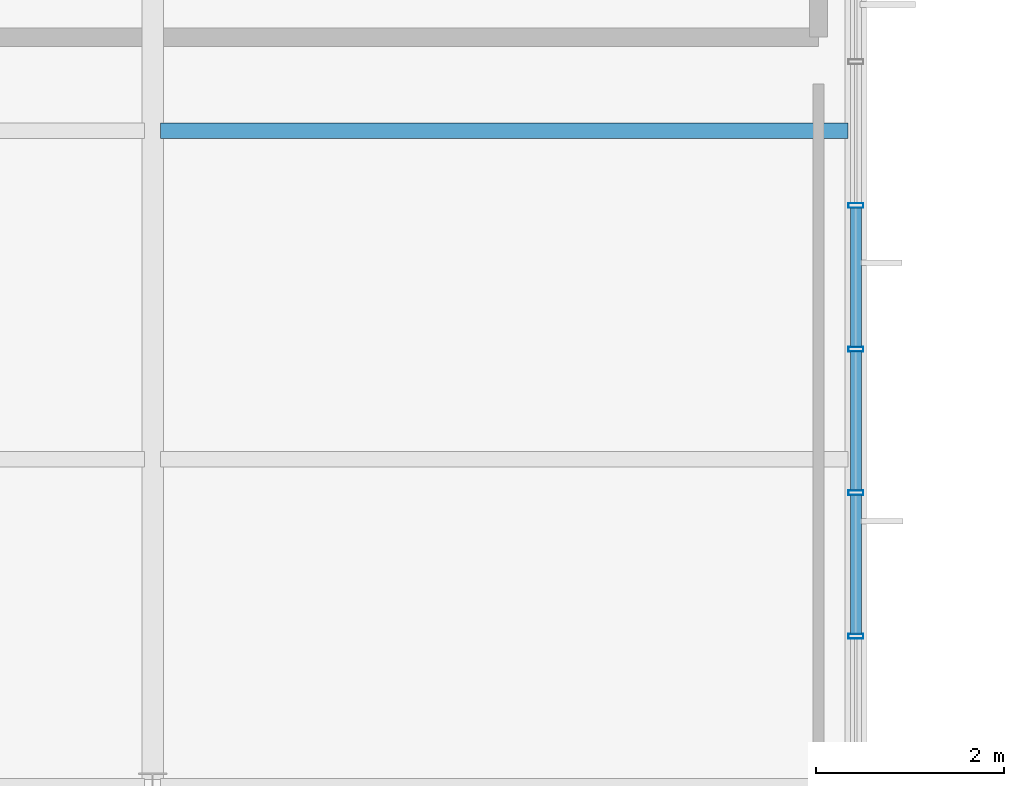
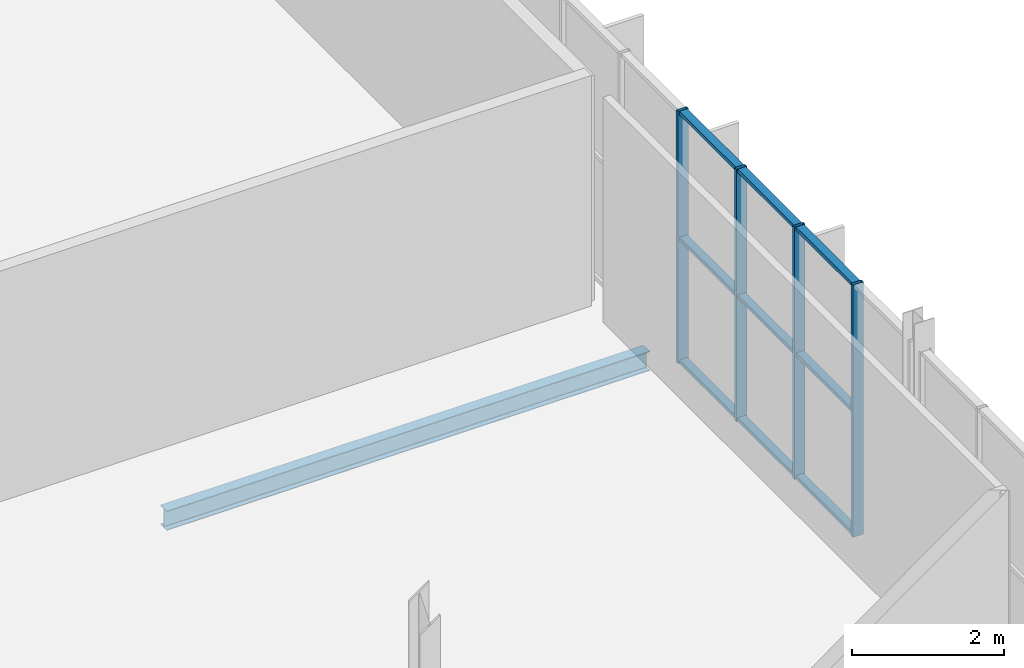
# One storey, part 48 of 324: 13 members, 1 beam, 1 element without a shape of its own.
"""IFC4 building model written with IfcOpenShell, lengths in metres."""

from ifc_helpers import new_model, si_unit, direction, frame, origin, origin_2d, place, context, subcontext, project, spatial, hollow_rectangle, i_section, extrude, material, layer, layer_set, material_profile, profile_set, type_object, element, aggregate, save


model = new_model("IFC4")

# Units and contexts
model_context = context("Model", 3, precision=1e-05, world=origin(), true_north=direction((0.0, 1.0)))
body_context = subcontext(model_context, "Body", "Model", "MODEL_VIEW")
ifc_project = project(units=[si_unit("LENGTHUNIT", "METRE"), si_unit("AREAUNIT", "SQUARE_METRE"), si_unit("VOLUMEUNIT", "CUBIC_METRE"), si_unit("PLANEANGLEUNIT", "RADIAN"), si_unit("MASSUNIT", "GRAM", prefix="KILO")], contexts=[model_context])

# Site, building, storey
site_placement = place(None, origin())
site = spatial("IfcSite", under=ifc_project, at=site_placement, CompositionType="ELEMENT")
building_placement = place(site_placement, origin())
building = spatial("IfcBuilding", under=site, at=building_placement, Name="Solvenia Promenade Tram Depot", CompositionType="ELEMENT")
storey_placement = place(building_placement, frame((0.0, 0.0, 4.5)))
storey = spatial("IfcBuildingStorey", under=building, at=storey_placement, Name="L01", CompositionType="ELEMENT", Elevation=4.5)

# Curtain wall, members
ifc_material_1 = material(Name="Anodized aluminium AW-6063 T6", Category="aluminium")
ifc_layer = layer(ifc_material_1, 0.1201171875, Name="Anodized aluminium AW-6063 T6", Category="aluminium")
ifc_layer_set = layer_set([ifc_layer], Name="Anodized aluminium AW-6063 T6")
curtain_wall_type = type_object("IfcCurtainWallType", Name="CW-Wash-1500", PredefinedType="NOTDEFINED", material=ifc_layer_set)
curtain_wall_placement = place(storey_placement, origin())
curtain_wall = element("IfcCurtainWall", 1, at=curtain_wall_placement, inside=storey, type_object=curtain_wall_type, Name="Curtain Wall CW-V3-E-L1-2", PredefinedType="NOTDEFINED")
ifc_material_profile_1 = material_profile(ifc_material_1, hollow_rectangle(XDim=0.159912109375, YDim=0.052001953125, WallThickness=0.00390625, at=origin_2d()), Name="ALU-M1", Category="aluminium")
ifc_profile_set_1 = profile_set([ifc_material_profile_1], Name="Anodized aluminium AW-6063 T6")
member_type_1 = type_object("IfcMemberType", Name="CWM-Mullion-1", PredefinedType="MULLION", material=ifc_profile_set_1)
member_1_placement = place(storey_placement, frame((45.0, 39.611083984375, 0.0), z_axis=(0.0, 0.0, 1.0), x_axis=(-1.0, 0.0, 0.0)))
member_1 = element("IfcMember", 2, at=member_1_placement, type_object=member_type_1, Name="CW-10 mullion 2", PredefinedType="MULLION", context=body_context, shape_type="SweptSolid", body=[
    extrude(hollow_rectangle(XDim=0.159912109375, YDim=0.052001953125, WallThickness=0.00390625, at=origin_2d()), origin(), (0.0, 0.0, 1.0), 4.050048828125),
])
member_2_placement = place(storey_placement, frame((45.0, 41.142333984375, 0.0), z_axis=(0.0, 0.0, 1.0), x_axis=(-1.0, 0.0, 0.0)))
member_2 = element("IfcMember", 3, at=member_2_placement, type_object=member_type_1, Name="CW-10 mullion 3", PredefinedType="MULLION", context=body_context, shape_type="SweptSolid", body=[
    extrude(hollow_rectangle(XDim=0.159912109375, YDim=0.052001953125, WallThickness=0.00390625, at=origin_2d()), origin(), (0.0, 0.0, 1.0), 4.050048828125),
])
member_3_placement = place(storey_placement, frame((45.0, 42.67333984375, 0.0), z_axis=(0.0, 0.0, 1.0), x_axis=(-1.0, 0.0, 0.0)))
member_3 = element("IfcMember", 4, at=member_3_placement, type_object=member_type_1, Name="CW-10 mullion 4", PredefinedType="MULLION", context=body_context, shape_type="SweptSolid", body=[
    extrude(hollow_rectangle(XDim=0.159912109375, YDim=0.052001953125, WallThickness=0.00390625, at=origin_2d()), origin(), (0.0, 0.0, 1.0), 4.050048828125),
])
member_4_placement = place(storey_placement, frame((45.0, 44.204345703125, 0.0), z_axis=(0.0, 0.0, 1.0), x_axis=(-1.0, 0.0, 0.0)))
member_4 = element("IfcMember", 5, at=member_4_placement, type_object=member_type_1, Name="CW-10 mullion 5", PredefinedType="MULLION", context=body_context, shape_type="SweptSolid", body=[
    extrude(hollow_rectangle(XDim=0.159912109375, YDim=0.052001953125, WallThickness=0.00390625, at=origin_2d()), origin(), (0.0, 0.0, 1.0), 4.050048828125),
])
ifc_material_profile_2 = material_profile(ifc_material_1, hollow_rectangle(XDim=0.1201171875, YDim=0.06005859375, WallThickness=0.00390625, at=origin_2d()), Name="ALU-T1", Category="aluminium")
ifc_profile_set_2 = profile_set([ifc_material_profile_2], Name="Anodized aluminium AW-6063 T6")
member_type_2 = type_object("IfcMemberType", Name="CWT-Transom-1", PredefinedType="USERDEFINED", material=ifc_profile_set_2)
member_5_placement = place(storey_placement, frame((45.0, 39.63720703125, 0.030029296875), z_axis=(0.0, 1.0, 0.0), x_axis=(-1.0, 0.0, 0.0)))
member_5 = element("IfcMember", 6, at=member_5_placement, type_object=member_type_2, Name="CW-10 transom 2.1", ObjectType="TRANSOM", PredefinedType="USERDEFINED", context=body_context, shape_type="SweptSolid", body=[
    extrude(hollow_rectangle(XDim=0.1201171875, YDim=0.06005859375, WallThickness=0.00390625, at=origin_2d()), origin(), (0.0, 0.0, 1.0), 1.47900390625),
])
member_6_placement = place(storey_placement, frame((45.0, 39.63720703125, 2.0), z_axis=(0.0, 1.0, 0.0), x_axis=(-1.0, 0.0, 0.0)))
member_6 = element("IfcMember", 7, at=member_6_placement, type_object=member_type_2, Name="CW-10 transom 2.2", ObjectType="TRANSOM", PredefinedType="USERDEFINED", context=body_context, shape_type="SweptSolid", body=[
    extrude(hollow_rectangle(XDim=0.1201171875, YDim=0.06005859375, WallThickness=0.00390625, at=origin_2d()), origin(), (0.0, 0.0, 1.0), 1.47900390625),
])
member_7_placement = place(storey_placement, frame((45.0, 39.63720703125, 4.02001953125), z_axis=(0.0, 1.0, 0.0), x_axis=(-1.0, 0.0, 0.0)))
member_7 = element("IfcMember", 8, at=member_7_placement, type_object=member_type_2, Name="CW-10 transom 2.3", ObjectType="TRANSOM", PredefinedType="USERDEFINED", context=body_context, shape_type="SweptSolid", body=[
    extrude(hollow_rectangle(XDim=0.1201171875, YDim=0.06005859375, WallThickness=0.00390625, at=origin_2d()), origin(), (0.0, 0.0, 1.0), 1.47900390625),
])
member_8_placement = place(storey_placement, frame((45.0, 41.168212890625, 0.030029296875), z_axis=(0.0, 1.0, 0.0), x_axis=(-1.0, 0.0, 0.0)))
member_8 = element("IfcMember", 9, at=member_8_placement, type_object=member_type_2, Name="CW-10 transom 3.1", ObjectType="TRANSOM", PredefinedType="USERDEFINED", context=body_context, shape_type="SweptSolid", body=[
    extrude(hollow_rectangle(XDim=0.1201171875, YDim=0.06005859375, WallThickness=0.00390625, at=origin_2d()), origin(), (0.0, 0.0, 1.0), 1.47900390625),
])
member_9_placement = place(storey_placement, frame((45.0, 41.168212890625, 2.0), z_axis=(0.0, 1.0, 0.0), x_axis=(-1.0, 0.0, 0.0)))
member_9 = element("IfcMember", 10, at=member_9_placement, type_object=member_type_2, Name="CW-10 transom 3.2", ObjectType="TRANSOM", PredefinedType="USERDEFINED", context=body_context, shape_type="SweptSolid", body=[
    extrude(hollow_rectangle(XDim=0.1201171875, YDim=0.06005859375, WallThickness=0.00390625, at=origin_2d()), origin(), (0.0, 0.0, 1.0), 1.47900390625),
])
member_10_placement = place(storey_placement, frame((45.0, 41.168212890625, 4.02001953125), z_axis=(0.0, 1.0, 0.0), x_axis=(-1.0, 0.0, 0.0)))
member_10 = element("IfcMember", 11, at=member_10_placement, type_object=member_type_2, Name="CW-10 transom 3.3", ObjectType="TRANSOM", PredefinedType="USERDEFINED", context=body_context, shape_type="SweptSolid", body=[
    extrude(hollow_rectangle(XDim=0.1201171875, YDim=0.06005859375, WallThickness=0.00390625, at=origin_2d()), origin(), (0.0, 0.0, 1.0), 1.47900390625),
])
member_11_placement = place(storey_placement, frame((45.0, 42.69921875, 0.030029296875), z_axis=(0.0, 1.0, 0.0), x_axis=(-1.0, 0.0, 0.0)))
member_11 = element("IfcMember", 12, at=member_11_placement, type_object=member_type_2, Name="CW-10 transom 4.1", ObjectType="TRANSOM", PredefinedType="USERDEFINED", context=body_context, shape_type="SweptSolid", body=[
    extrude(hollow_rectangle(XDim=0.1201171875, YDim=0.06005859375, WallThickness=0.00390625, at=origin_2d()), origin(), (0.0, 0.0, 1.0), 1.479248046875),
])
member_12_placement = place(storey_placement, frame((45.0, 42.69921875, 2.0), z_axis=(0.0, 1.0, 0.0), x_axis=(-1.0, 0.0, 0.0)))
member_12 = element("IfcMember", 13, at=member_12_placement, type_object=member_type_2, Name="CW-10 transom 4.2", ObjectType="TRANSOM", PredefinedType="USERDEFINED", context=body_context, shape_type="SweptSolid", body=[
    extrude(hollow_rectangle(XDim=0.1201171875, YDim=0.06005859375, WallThickness=0.00390625, at=origin_2d()), origin(), (0.0, 0.0, 1.0), 1.479248046875),
])
member_13_placement = place(storey_placement, frame((45.0, 42.69921875, 4.02001953125), z_axis=(0.0, 1.0, 0.0), x_axis=(-1.0, 0.0, 0.0)))
member_13 = element("IfcMember", 14, at=member_13_placement, type_object=member_type_2, Name="CW-10 transom 4.3", ObjectType="TRANSOM", PredefinedType="USERDEFINED", context=body_context, shape_type="SweptSolid", body=[
    extrude(hollow_rectangle(XDim=0.1201171875, YDim=0.06005859375, WallThickness=0.00390625, at=origin_2d()), origin(), (0.0, 0.0, 1.0), 1.479248046875),
])
aggregate(curtain_wall, [member_1, member_2, member_3, member_4, member_5, member_6, member_7, member_8, member_9, member_10, member_11, member_12, member_13])

# Beam
ifc_material_2 = material(Name="Structural steel ASTM A992 Gr. 50", Category="steel")
ifc_material_profile_3 = material_profile(ifc_material_2, i_section(OverallWidth=0.166015625, OverallDepth=0.31298828125, WebThickness=0.006591796875, FlangeThickness=0.01123046875, FilletRadius=0.010009765625, at=origin_2d()), Name="W310x45", Category="steel")
ifc_profile_set_3 = profile_set([ifc_material_profile_3], Name="Structural steel ASTM A992 Gr. 50")
beam_type = type_object("IfcBeamType", Name="Joist-W310x45", PredefinedType="JOIST", material=ifc_profile_set_3)
beam_placement = place(storey_placement, frame((37.5849609375, 45.0, -0.396484375), z_axis=(1.0, 0.0, 0.0), x_axis=(0.0, 1.0, 0.0)))
element("IfcBeam", 15, at=beam_placement, inside=storey, type_object=beam_type, Name="Secondary Floor Joist BM-L01-0297", PredefinedType="JOIST", context=body_context, shape_type="SweptSolid", body=[
    extrude(i_section(OverallWidth=0.166015625, OverallDepth=0.31298828125, WebThickness=0.006591796875, FlangeThickness=0.01123046875, FilletRadius=0.010009765625, at=origin_2d()), origin(), (0.0, 0.0, 1.0), 7.330078125),
])

save(model, "model.ifc")
